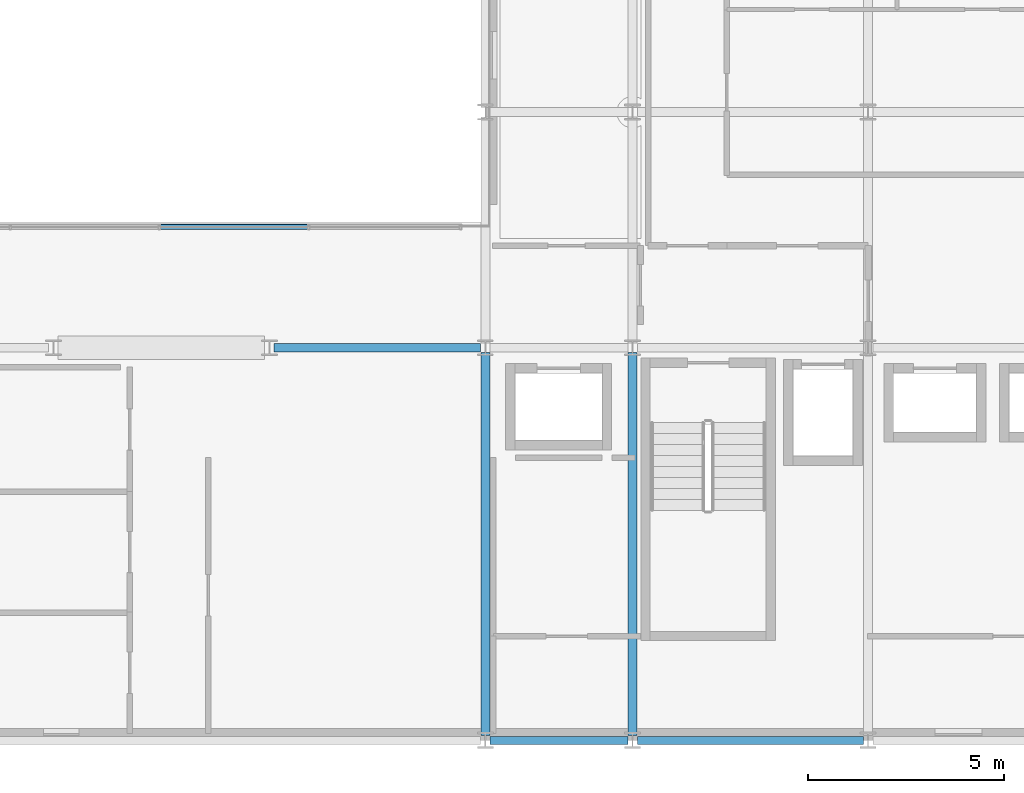
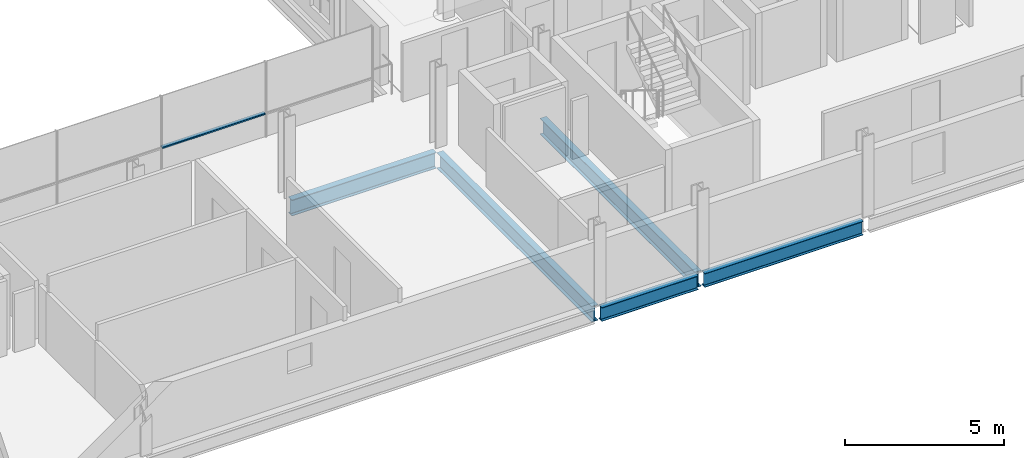
# One storey, part 14 of 38: 5 beams, 1 member, 1 element without a shape of its own.
"""IFC4 building model written with IfcOpenShell, lengths in metres."""

from ifc_helpers import new_model, si_unit, direction, frame, origin, origin_2d, place, context, subcontext, project, spatial, hollow_rectangle, i_section, extrude, material, layer, layer_set, material_profile, profile_set, type_object, element, aggregate, save


model = new_model("IFC4")

# Units and contexts
model_context = context("Model", 3, precision=1e-05, world=origin(), true_north=direction((0.0, 1.0)))
body_context = subcontext(model_context, "Body", "Model", "MODEL_VIEW")
ifc_project = project(units=[si_unit("LENGTHUNIT", "METRE"), si_unit("AREAUNIT", "SQUARE_METRE"), si_unit("VOLUMEUNIT", "CUBIC_METRE"), si_unit("PLANEANGLEUNIT", "RADIAN"), si_unit("MASSUNIT", "GRAM", prefix="KILO")], contexts=[model_context])

# Site, building, storey
site_placement = place(None, origin())
site = spatial("IfcSite", under=ifc_project, at=site_placement, CompositionType="ELEMENT")
building_placement = place(site_placement, origin())
building = spatial("IfcBuilding", under=site, at=building_placement, Name="Brevholm Reach", CompositionType="ELEMENT")
storey_placement = place(building_placement, frame((0.0, 0.0, 166.60009765625)))
storey = spatial("IfcBuildingStorey", under=building, at=storey_placement, Name="L50", CompositionType="ELEMENT", Elevation=166.60009765625)

# Beams
ifc_material_1 = material(Name="Structural Steel S355J2", Category="steel")
ifc_material_profile_1 = material_profile(ifc_material_1, i_section(OverallWidth=0.209228515625, OverallDepth=0.533203125, WebThickness=0.010009765625, FlangeThickness=0.015625, FilletRadius=0.0126953125, at=origin_2d()), Name="UKB 533x210x92")
ifc_profile_set_1 = profile_set([ifc_material_profile_1], Name="Structural Steel S355J2")
beam_type_1 = type_object("IfcBeamType", Name="BM-SP533", PredefinedType="SPANDREL", material=ifc_profile_set_1)
beam_1_placement = place(storey_placement, frame((38.3701171875, 0.0, -0.486572265625), z_axis=(1.0, 0.0, 0.0), x_axis=(0.0, 1.0, 0.0)))
element("IfcBeam", 1, at=beam_1_placement, inside=storey, type_object=beam_type_1, Name="L50 SP-02 Framing Beam", PredefinedType="SPANDREL", context=body_context, shape_type="SweptSolid", body=[
    extrude(i_section(OverallWidth=0.209228515625, OverallDepth=0.533203125, WebThickness=0.010009765625, FlangeThickness=0.015625, FilletRadius=0.0126953125, at=origin_2d()), origin(), (0.0, 0.0, 1.0), 3.509765625),
])
beam_2_placement = place(storey_placement, frame((42.1201171875, 0.0, -0.486572265625), z_axis=(1.0, 0.0, 0.0), x_axis=(0.0, 1.0, 0.0)))
element("IfcBeam", 2, at=beam_2_placement, inside=storey, type_object=beam_type_1, Name="L50 SP-02 Framing Beam", PredefinedType="SPANDREL", context=body_context, shape_type="SweptSolid", body=[
    extrude(i_section(OverallWidth=0.209228515625, OverallDepth=0.533203125, WebThickness=0.010009765625, FlangeThickness=0.015625, FilletRadius=0.0126953125, at=origin_2d()), origin(), (0.0, 0.0, 1.0), 5.759765625),
])
ifc_material_2 = material(Name="Structural Steel S355J2", Category="steel")
ifc_material_profile_2 = material_profile(ifc_material_2, i_section(OverallWidth=0.22900390625, OverallDepth=0.6123046875, WebThickness=0.011962890625, FlangeThickness=0.01953125, FilletRadius=0.0126953125, at=origin_2d()), Name="UKB 610x229x125")
ifc_profile_set_2 = profile_set([ifc_material_profile_2], Name="Structural Steel S355J2")
beam_type_2 = type_object("IfcBeamType", Name="BM-SP610", PredefinedType="SPANDREL", material=ifc_profile_set_2)
beam_3_placement = place(storey_placement, frame((32.8701171875, 10.0, -0.526123046875), z_axis=(1.0, 0.0, 0.0), x_axis=(0.0, 1.0, 0.0)))
element("IfcBeam", 3, at=beam_3_placement, inside=storey, type_object=beam_type_2, Name="L50 SP-01 Framing Beam", PredefinedType="SPANDREL", context=body_context, shape_type="SweptSolid", body=[
    extrude(i_section(OverallWidth=0.22900390625, OverallDepth=0.6123046875, WebThickness=0.011962890625, FlangeThickness=0.01953125, FilletRadius=0.0126953125, at=origin_2d()), origin(), (0.0, 0.0, 1.0), 5.259765625),
])
for number, where, z_axis, x_axis, name in (
    (4, (38.25, 0.1201171875, -0.526123046875), (0.0, 1.0, 0.0), (-1.0, 0.0, 0.0), "L50 SP-01 Framing Beam"),
    (5, (42.0, 0.1201171875, -0.526123046875), (0.0, 1.0, 0.0), (-1.0, 0.0, 0.0), "L50 SP-01 Framing Beam"),
):
    element("IfcBeam", number, at=place(storey_placement, frame(where, z_axis=z_axis, x_axis=x_axis)), inside=storey, type_object=beam_type_2, Name=name, PredefinedType="SPANDREL", context=body_context, shape_type="SweptSolid", body=[
        extrude(i_section(OverallWidth=0.22900390625, OverallDepth=0.6123046875, WebThickness=0.011962890625, FlangeThickness=0.01953125, FilletRadius=0.0126953125, at=origin_2d()), origin(), (0.0, 0.0, 1.0), 9.759765625),
    ])

# Curtain wall, member
ifc_material_3 = material(Name="Dark Anodised Aluminium 6063-T6 and Solar-Control Glass", Category="aluminium")
ifc_layer = layer(ifc_material_3, 0.139892578125)
ifc_layer_set = layer_set([ifc_layer], Name="Dark Anodised Aluminium 6063-T6 and Solar-Control Glass")
curtain_wall_type = type_object("IfcCurtainWallType", Name="CW-02", PredefinedType="NOTDEFINED", material=ifc_layer_set)
curtain_wall_placement = place(storey_placement, origin())
curtain_wall = element("IfcCurtainWall", 6, at=curtain_wall_placement, inside=storey, type_object=curtain_wall_type, Name="L50 Curtain Wall CW-02", PredefinedType="NOTDEFINED")
ifc_material_4 = material(Name="Dark Anodised Aluminium 6063-T6", Category="aluminium")
ifc_material_profile_3 = material_profile(ifc_material_4, hollow_rectangle(XDim=0.06005859375, YDim=0.139892578125, WallThickness=0.0048828125, InnerFilletRadius=0.0048828125, OuterFilletRadius=0.010009765625, at=origin_2d()), Name="RHS 140x60x5")
ifc_profile_set_3 = profile_set([ifc_material_profile_3], Name="Dark Anodised Aluminium 6063-T6")
member_type = type_object("IfcMemberType", Name="CWT-140", PredefinedType="NOTDEFINED", material=ifc_profile_set_3)
member_placement = place(storey_placement, frame((29.97998046875, 13.080078125, 0.89990234375), z_axis=(1.0, 0.0, 0.0), x_axis=(0.0, 0.0, 1.0)))
member = element("IfcMember", 7, at=member_placement, type_object=member_type, Name="CT-140 Transom 3.1", ObjectType="TRANSOM", PredefinedType="USERDEFINED", context=body_context, shape_type="SweptSolid", body=[
    extrude(hollow_rectangle(XDim=0.06005859375, YDim=0.139892578125, WallThickness=0.0048828125, InnerFilletRadius=0.0048828125, OuterFilletRadius=0.010009765625, at=origin_2d()), origin(), (0.0, 0.0, 1.0), 3.739990234375),
])
aggregate(curtain_wall, [member])

save(model, "model.ifc")
